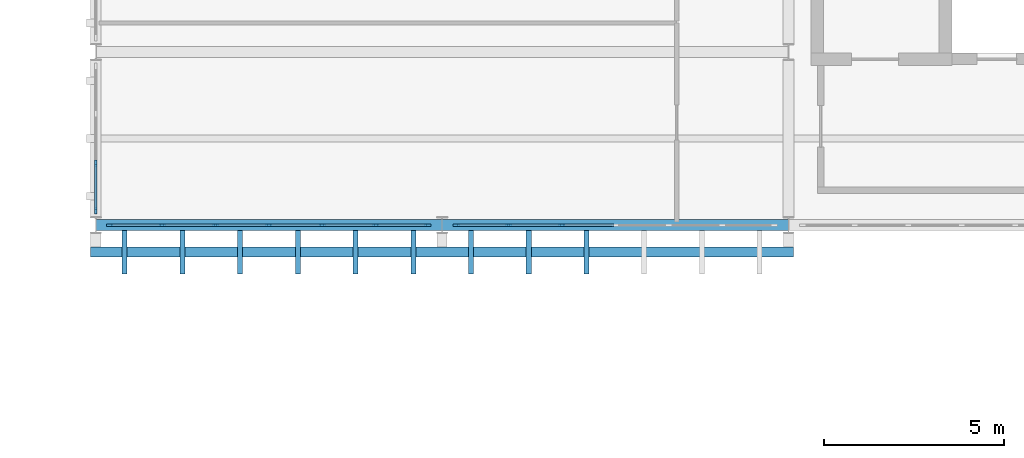
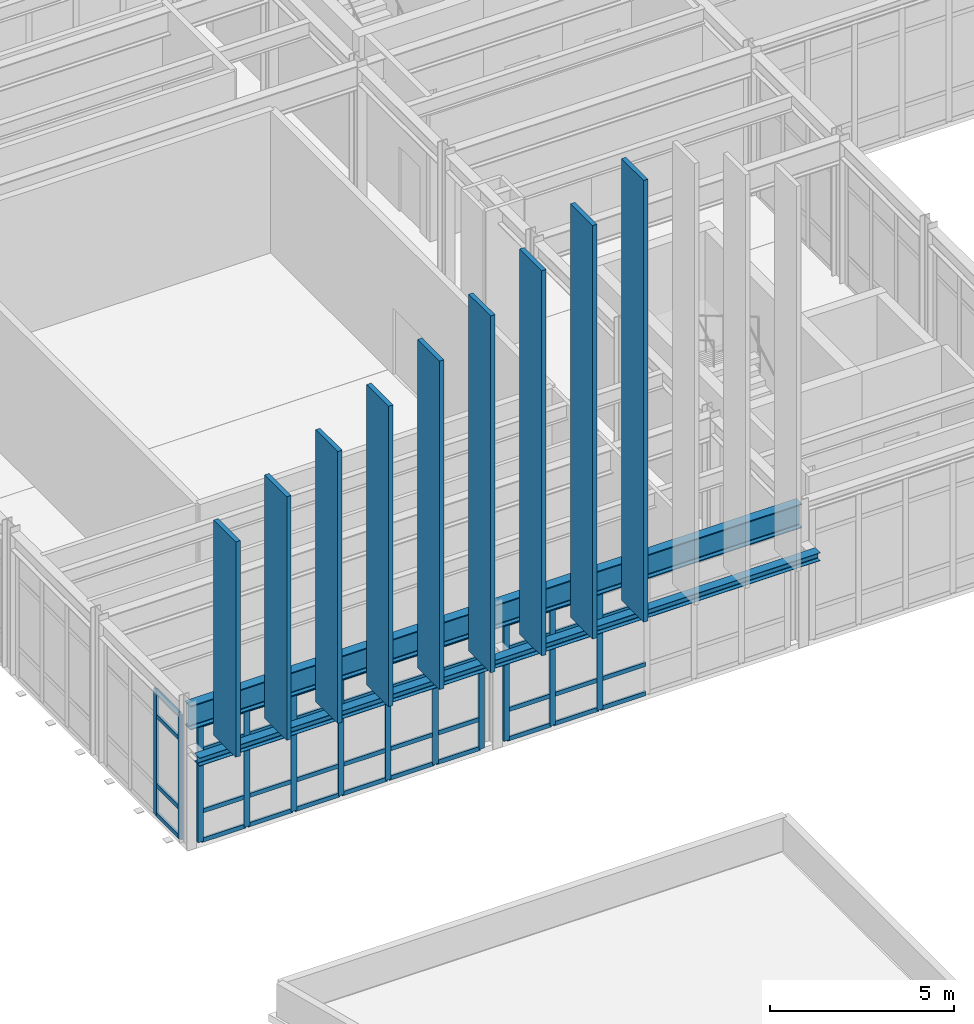
# One storey, part 3 of 28: 60 members, 2 beams, 3 elements without a shape of their own.
"""IFC4 building model written with IfcOpenShell, lengths in metres."""

from ifc_helpers import new_model, si_unit, direction, frame, origin, origin_2d, place, context, subcontext, project, spatial, rectangle, i_section, extrude, material, layer, layer_set, material_profile, profile_set, type_object, element, aggregate, save


model = new_model("IFC4")

# Units and contexts
model_context = context("Model", 3, precision=1e-05, world=origin(), true_north=direction((0.0, 1.0)))
body_context = subcontext(model_context, "Body", "Model", "MODEL_VIEW")
ifc_project = project(units=[si_unit("LENGTHUNIT", "METRE"), si_unit("AREAUNIT", "SQUARE_METRE"), si_unit("VOLUMEUNIT", "CUBIC_METRE"), si_unit("PLANEANGLEUNIT", "RADIAN"), si_unit("MASSUNIT", "GRAM", prefix="KILO")], contexts=[model_context])

# Site, building, storey
site_placement = place(None, origin())
site = spatial("IfcSite", under=ifc_project, at=site_placement, CompositionType="ELEMENT")
building_placement = place(site_placement, origin())
building = spatial("IfcBuilding", under=site, at=building_placement, Name="Nordkorset Police Headquarters", CompositionType="ELEMENT")
storey_placement = place(building_placement, frame((0.0, 0.0, 26.25)))
storey = spatial("IfcBuildingStorey", under=building, at=storey_placement, Name="L06", CompositionType="ELEMENT", Elevation=26.25)

# Curtain wall, members
ifc_material_1 = material(Name="Aluminium alloy AW-6060", Category="aluminium")
ifc_layer_1 = layer(ifc_material_1, 0.179931640625, Name="Aluminium alloy AW-6060")
ifc_layer_set_1 = layer_set([ifc_layer_1], Name="Aluminium alloy AW-6060")
curtain_wall_type_1 = type_object("IfcCurtainWallType", Name="CW_Unit_408x415", PredefinedType="USERDEFINED", material=ifc_layer_set_1)
curtain_wall_1_placement = place(storey_placement, origin())
curtain_wall_1 = element("IfcCurtainWall", 1, at=curtain_wall_1_placement, inside=storey, type_object=curtain_wall_type_1, Name="Unitised Curtain Wall L06 V1W-0", ObjectType="UNITISED CURTAIN WALL", PredefinedType="USERDEFINED")
ifc_material_2 = material(Name="Aluminium alloy AW-6060", Category="aluminium")
ifc_material_profile_1 = material_profile(ifc_material_2, rectangle(XDim=0.06494140625, YDim=0.179931640625, at=origin_2d()), Name="ALU MULL 65x180")
ifc_profile_set_1 = profile_set([ifc_material_profile_1], Name="Aluminium alloy AW-6060")
member_type_1 = type_object("IfcMemberType", Name="CW_Mullion_65x180", PredefinedType="MULLION", material=ifc_profile_set_1)
member_1_placement = place(storey_placement, frame((0.0, 83.592529296875, 0.0), z_axis=(0.0, 0.0, 1.0), x_axis=(-1.0, 0.0, 0.0)))
member_1 = element("IfcMember", 2, at=member_1_placement, type_object=member_type_1, Name="CW-101 mullion 1", PredefinedType="MULLION", context=body_context, shape_type="SweptSolid", body=[
    extrude(rectangle(XDim=0.06494140625, YDim=0.179931640625, at=origin_2d()), origin(), (0.0, 0.0, 1.0), 4.14990234375),
])
member_2_placement = place(storey_placement, frame((0.0, 84.919921875, 0.0), z_axis=(0.0, 0.0, 1.0), x_axis=(-1.0, 0.0, 0.0)))
member_2 = element("IfcMember", 3, at=member_2_placement, type_object=member_type_1, Name="CW-101 mullion 2", PredefinedType="MULLION", context=body_context, shape_type="SweptSolid", body=[
    extrude(rectangle(XDim=0.06494140625, YDim=0.179931640625, at=origin_2d()), origin(), (0.0, 0.0, 1.0), 4.14990234375),
])

ifc_material_3 = material(Name="Aluminium alloy AW-6060", Category="aluminium")
ifc_layer_2 = layer(ifc_material_3, 0.179931640625, Name="Aluminium alloy AW-6060")
ifc_layer_set_2 = layer_set([ifc_layer_2], Name="Aluminium alloy AW-6060")
curtain_wall_type_2 = type_object("IfcCurtainWallType", Name="CW_Unit_888x389", PredefinedType="USERDEFINED", material=ifc_layer_set_2)
curtain_wall_2_placement = place(storey_placement, origin())
curtain_wall_2 = element("IfcCurtainWall", 4, at=curtain_wall_2_placement, inside=storey, type_object=curtain_wall_type_2, Name="Unitised Curtain Wall L06 V1S-0", ObjectType="UNITISED CURTAIN WALL", PredefinedType="USERDEFINED")
member_3_placement = place(storey_placement, frame((0.392578125, 83.199951171875, 0.0), z_axis=(0.0, 0.0, 1.0), x_axis=(0.0, 1.0, 0.0)))
member_3 = element("IfcMember", 5, at=member_3_placement, type_object=member_type_1, Name="CW-76 mullion 1", PredefinedType="MULLION", context=body_context, shape_type="SweptSolid", body=[
    extrude(rectangle(XDim=0.06494140625, YDim=0.179931640625, at=origin_2d()), origin(), (0.0, 0.0, 1.0), 3.889892578125),
])
member_4_placement = place(storey_placement, frame((1.840087890625, 83.199951171875, 0.0), z_axis=(0.0, 0.0, 1.0), x_axis=(0.0, 1.0, 0.0)))
member_4 = element("IfcMember", 6, at=member_4_placement, type_object=member_type_1, Name="CW-76 mullion 2", PredefinedType="MULLION", context=body_context, shape_type="SweptSolid", body=[
    extrude(rectangle(XDim=0.06494140625, YDim=0.179931640625, at=origin_2d()), origin(), (0.0, 0.0, 1.0), 3.889892578125),
])
member_5_placement = place(storey_placement, frame((3.320068359375, 83.199951171875, 0.0), z_axis=(0.0, 0.0, 1.0), x_axis=(0.0, 1.0, 0.0)))
member_5 = element("IfcMember", 7, at=member_5_placement, type_object=member_type_1, Name="CW-76 mullion 3", PredefinedType="MULLION", context=body_context, shape_type="SweptSolid", body=[
    extrude(rectangle(XDim=0.06494140625, YDim=0.179931640625, at=origin_2d()), origin(), (0.0, 0.0, 1.0), 3.889892578125),
])
member_6_placement = place(storey_placement, frame((4.800048828125, 83.199951171875, 0.0), z_axis=(0.0, 0.0, 1.0), x_axis=(0.0, 1.0, 0.0)))
member_6 = element("IfcMember", 8, at=member_6_placement, type_object=member_type_1, Name="CW-76 mullion 4", PredefinedType="MULLION", context=body_context, shape_type="SweptSolid", body=[
    extrude(rectangle(XDim=0.06494140625, YDim=0.179931640625, at=origin_2d()), origin(), (0.0, 0.0, 1.0), 3.889892578125),
])
member_7_placement = place(storey_placement, frame((6.280029296875, 83.199951171875, 0.0), z_axis=(0.0, 0.0, 1.0), x_axis=(0.0, 1.0, 0.0)))
member_7 = element("IfcMember", 9, at=member_7_placement, type_object=member_type_1, Name="CW-76 mullion 5", PredefinedType="MULLION", context=body_context, shape_type="SweptSolid", body=[
    extrude(rectangle(XDim=0.06494140625, YDim=0.179931640625, at=origin_2d()), origin(), (0.0, 0.0, 1.0), 3.889892578125),
])
member_8_placement = place(storey_placement, frame((7.760009765625, 83.199951171875, 0.0), z_axis=(0.0, 0.0, 1.0), x_axis=(0.0, 1.0, 0.0)))
member_8 = element("IfcMember", 10, at=member_8_placement, type_object=member_type_1, Name="CW-76 mullion 6", PredefinedType="MULLION", context=body_context, shape_type="SweptSolid", body=[
    extrude(rectangle(XDim=0.06494140625, YDim=0.179931640625, at=origin_2d()), origin(), (0.0, 0.0, 1.0), 3.889892578125),
])
member_9_placement = place(storey_placement, frame((9.20751953125, 83.199951171875, 0.0), z_axis=(0.0, 0.0, 1.0), x_axis=(0.0, 1.0, 0.0)))
member_9 = element("IfcMember", 11, at=member_9_placement, type_object=member_type_1, Name="CW-76 mullion 7", PredefinedType="MULLION", context=body_context, shape_type="SweptSolid", body=[
    extrude(rectangle(XDim=0.06494140625, YDim=0.179931640625, at=origin_2d()), origin(), (0.0, 0.0, 1.0), 3.889892578125),
])

curtain_wall_3_placement = place(storey_placement, origin())
curtain_wall_3 = element("IfcCurtainWall", 12, at=curtain_wall_3_placement, inside=storey, type_object=curtain_wall_type_2, Name="Unitised Curtain Wall L06 V1S-1", ObjectType="UNITISED CURTAIN WALL", PredefinedType="USERDEFINED")
member_10_placement = place(storey_placement, frame((9.992431640625, 83.199951171875, 0.0), z_axis=(0.0, 0.0, 1.0), x_axis=(0.0, 1.0, 0.0)))
member_10 = element("IfcMember", 13, at=member_10_placement, type_object=member_type_1, Name="CW-76 mullion 1", PredefinedType="MULLION", context=body_context, shape_type="SweptSolid", body=[
    extrude(rectangle(XDim=0.06494140625, YDim=0.179931640625, at=origin_2d()), origin(), (0.0, 0.0, 1.0), 3.889892578125),
])
member_11_placement = place(storey_placement, frame((11.43994140625, 83.199951171875, 0.0), z_axis=(0.0, 0.0, 1.0), x_axis=(0.0, 1.0, 0.0)))
member_11 = element("IfcMember", 14, at=member_11_placement, type_object=member_type_1, Name="CW-76 mullion 2", PredefinedType="MULLION", context=body_context, shape_type="SweptSolid", body=[
    extrude(rectangle(XDim=0.06494140625, YDim=0.179931640625, at=origin_2d()), origin(), (0.0, 0.0, 1.0), 3.889892578125),
])
member_12_placement = place(storey_placement, frame((12.919921875, 83.199951171875, 0.0), z_axis=(0.0, 0.0, 1.0), x_axis=(0.0, 1.0, 0.0)))
member_12 = element("IfcMember", 15, at=member_12_placement, type_object=member_type_1, Name="CW-76 mullion 3", PredefinedType="MULLION", context=body_context, shape_type="SweptSolid", body=[
    extrude(rectangle(XDim=0.06494140625, YDim=0.179931640625, at=origin_2d()), origin(), (0.0, 0.0, 1.0), 3.889892578125),
])

# Member
ifc_material_4 = material(Name="Aluminium alloy AW-6060", Category="aluminium")
ifc_material_profile_2 = material_profile(ifc_material_4, rectangle(XDim=0.06494140625, YDim=0.139892578125, at=origin_2d()), Name="ALU TRAN 65x140")
ifc_profile_set_2 = profile_set([ifc_material_profile_2], Name="Aluminium alloy AW-6060")
member_type_2 = type_object("IfcMemberType", Name="CW_Transom_65x140", PredefinedType="USERDEFINED", material=ifc_profile_set_2)
member_13_placement = place(storey_placement, frame((0.0, 83.625, 0.032470703125), z_axis=(0.0, 1.0, 0.0), x_axis=(-1.0, 0.0, 0.0)))
member_13 = element("IfcMember", 16, at=member_13_placement, type_object=member_type_2, Name="CW-101 transom 1.1", ObjectType="TRANSOM", PredefinedType="USERDEFINED", context=body_context, shape_type="SweptSolid", body=[
    extrude(rectangle(XDim=0.06494140625, YDim=0.139892578125, at=origin_2d()), origin(), (0.0, 0.0, 1.0), 1.262451171875),
])

member_14_placement = place(storey_placement, frame((0.0, 83.625, 1.0), z_axis=(0.0, 1.0, 0.0), x_axis=(-1.0, 0.0, 0.0)))
member_14 = element("IfcMember", 17, at=member_14_placement, type_object=member_type_2, Name="CW-101 transom 1.2", ObjectType="TRANSOM", PredefinedType="USERDEFINED", context=body_context, shape_type="SweptSolid", body=[
    extrude(rectangle(XDim=0.06494140625, YDim=0.139892578125, at=origin_2d()), origin(), (0.0, 0.0, 1.0), 1.262451171875),
])

member_15_placement = place(storey_placement, frame((0.0, 83.625, 3.300048828125), z_axis=(0.0, 1.0, 0.0), x_axis=(-1.0, 0.0, 0.0)))
member_15 = element("IfcMember", 18, at=member_15_placement, type_object=member_type_2, Name="CW-101 transom 1.3", ObjectType="TRANSOM", PredefinedType="USERDEFINED", context=body_context, shape_type="SweptSolid", body=[
    extrude(rectangle(XDim=0.06494140625, YDim=0.139892578125, at=origin_2d()), origin(), (0.0, 0.0, 1.0), 1.262451171875),
])

member_16_placement = place(storey_placement, frame((0.0, 83.625, 4.117431640625), z_axis=(0.0, 1.0, 0.0), x_axis=(-1.0, 0.0, 0.0)))
member_16 = element("IfcMember", 19, at=member_16_placement, type_object=member_type_2, Name="CW-101 transom 1.4", ObjectType="TRANSOM", PredefinedType="USERDEFINED", context=body_context, shape_type="SweptSolid", body=[
    extrude(rectangle(XDim=0.06494140625, YDim=0.139892578125, at=origin_2d()), origin(), (0.0, 0.0, 1.0), 1.262451171875),
])

aggregate(curtain_wall_1, [member_1, member_2, member_13, member_14, member_15, member_16])

member_17_placement = place(storey_placement, frame((0.425048828125, 83.199951171875, 0.032470703125), z_axis=(1.0, 0.0, 0.0), x_axis=(0.0, 1.0, 0.0)))
member_17 = element("IfcMember", 20, at=member_17_placement, type_object=member_type_2, Name="CW-76 transom 1.1", ObjectType="TRANSOM", PredefinedType="USERDEFINED", context=body_context, shape_type="SweptSolid", body=[
    extrude(rectangle(XDim=0.06494140625, YDim=0.139892578125, at=origin_2d()), origin(), (0.0, 0.0, 1.0), 1.382568359375),
])

member_18_placement = place(storey_placement, frame((0.425048828125, 83.199951171875, 1.0), z_axis=(1.0, 0.0, 0.0), x_axis=(0.0, 1.0, 0.0)))
member_18 = element("IfcMember", 21, at=member_18_placement, type_object=member_type_2, Name="CW-76 transom 1.2", ObjectType="TRANSOM", PredefinedType="USERDEFINED", context=body_context, shape_type="SweptSolid", body=[
    extrude(rectangle(XDim=0.06494140625, YDim=0.139892578125, at=origin_2d()), origin(), (0.0, 0.0, 1.0), 1.382568359375),
])

member_19_placement = place(storey_placement, frame((0.425048828125, 83.199951171875, 3.0400390625), z_axis=(1.0, 0.0, 0.0), x_axis=(0.0, 1.0, 0.0)))
member_19 = element("IfcMember", 22, at=member_19_placement, type_object=member_type_2, Name="CW-76 transom 1.3", ObjectType="TRANSOM", PredefinedType="USERDEFINED", context=body_context, shape_type="SweptSolid", body=[
    extrude(rectangle(XDim=0.06494140625, YDim=0.139892578125, at=origin_2d()), origin(), (0.0, 0.0, 1.0), 1.382568359375),
])

member_20_placement = place(storey_placement, frame((0.425048828125, 83.199951171875, 3.857421875), z_axis=(1.0, 0.0, 0.0), x_axis=(0.0, 1.0, 0.0)))
member_20 = element("IfcMember", 23, at=member_20_placement, type_object=member_type_2, Name="CW-76 transom 1.4", ObjectType="TRANSOM", PredefinedType="USERDEFINED", context=body_context, shape_type="SweptSolid", body=[
    extrude(rectangle(XDim=0.06494140625, YDim=0.139892578125, at=origin_2d()), origin(), (0.0, 0.0, 1.0), 1.382568359375),
])

member_21_placement = place(storey_placement, frame((1.87255859375, 83.199951171875, 0.032470703125), z_axis=(1.0, 0.0, 0.0), x_axis=(0.0, 1.0, 0.0)))
member_21 = element("IfcMember", 24, at=member_21_placement, type_object=member_type_2, Name="CW-76 transom 2.1", ObjectType="TRANSOM", PredefinedType="USERDEFINED", context=body_context, shape_type="SweptSolid", body=[
    extrude(rectangle(XDim=0.06494140625, YDim=0.139892578125, at=origin_2d()), origin(), (0.0, 0.0, 1.0), 1.4150390625),
])

member_22_placement = place(storey_placement, frame((1.87255859375, 83.199951171875, 1.0), z_axis=(1.0, 0.0, 0.0), x_axis=(0.0, 1.0, 0.0)))
member_22 = element("IfcMember", 25, at=member_22_placement, type_object=member_type_2, Name="CW-76 transom 2.2", ObjectType="TRANSOM", PredefinedType="USERDEFINED", context=body_context, shape_type="SweptSolid", body=[
    extrude(rectangle(XDim=0.06494140625, YDim=0.139892578125, at=origin_2d()), origin(), (0.0, 0.0, 1.0), 1.4150390625),
])

member_23_placement = place(storey_placement, frame((1.87255859375, 83.199951171875, 3.0400390625), z_axis=(1.0, 0.0, 0.0), x_axis=(0.0, 1.0, 0.0)))
member_23 = element("IfcMember", 26, at=member_23_placement, type_object=member_type_2, Name="CW-76 transom 2.3", ObjectType="TRANSOM", PredefinedType="USERDEFINED", context=body_context, shape_type="SweptSolid", body=[
    extrude(rectangle(XDim=0.06494140625, YDim=0.139892578125, at=origin_2d()), origin(), (0.0, 0.0, 1.0), 1.4150390625),
])

member_24_placement = place(storey_placement, frame((1.87255859375, 83.199951171875, 3.857421875), z_axis=(1.0, 0.0, 0.0), x_axis=(0.0, 1.0, 0.0)))
member_24 = element("IfcMember", 27, at=member_24_placement, type_object=member_type_2, Name="CW-76 transom 2.4", ObjectType="TRANSOM", PredefinedType="USERDEFINED", context=body_context, shape_type="SweptSolid", body=[
    extrude(rectangle(XDim=0.06494140625, YDim=0.139892578125, at=origin_2d()), origin(), (0.0, 0.0, 1.0), 1.4150390625),
])

member_25_placement = place(storey_placement, frame((3.3525390625, 83.199951171875, 0.032470703125), z_axis=(1.0, 0.0, 0.0), x_axis=(0.0, 1.0, 0.0)))
member_25 = element("IfcMember", 28, at=member_25_placement, type_object=member_type_2, Name="CW-76 transom 3.1", ObjectType="TRANSOM", PredefinedType="USERDEFINED", context=body_context, shape_type="SweptSolid", body=[
    extrude(rectangle(XDim=0.06494140625, YDim=0.139892578125, at=origin_2d()), origin(), (0.0, 0.0, 1.0), 1.4150390625),
])

member_26_placement = place(storey_placement, frame((3.3525390625, 83.199951171875, 1.0), z_axis=(1.0, 0.0, 0.0), x_axis=(0.0, 1.0, 0.0)))
member_26 = element("IfcMember", 29, at=member_26_placement, type_object=member_type_2, Name="CW-76 transom 3.2", ObjectType="TRANSOM", PredefinedType="USERDEFINED", context=body_context, shape_type="SweptSolid", body=[
    extrude(rectangle(XDim=0.06494140625, YDim=0.139892578125, at=origin_2d()), origin(), (0.0, 0.0, 1.0), 1.4150390625),
])

member_27_placement = place(storey_placement, frame((3.3525390625, 83.199951171875, 3.0400390625), z_axis=(1.0, 0.0, 0.0), x_axis=(0.0, 1.0, 0.0)))
member_27 = element("IfcMember", 30, at=member_27_placement, type_object=member_type_2, Name="CW-76 transom 3.3", ObjectType="TRANSOM", PredefinedType="USERDEFINED", context=body_context, shape_type="SweptSolid", body=[
    extrude(rectangle(XDim=0.06494140625, YDim=0.139892578125, at=origin_2d()), origin(), (0.0, 0.0, 1.0), 1.4150390625),
])

member_28_placement = place(storey_placement, frame((3.3525390625, 83.199951171875, 3.857421875), z_axis=(1.0, 0.0, 0.0), x_axis=(0.0, 1.0, 0.0)))
member_28 = element("IfcMember", 31, at=member_28_placement, type_object=member_type_2, Name="CW-76 transom 3.4", ObjectType="TRANSOM", PredefinedType="USERDEFINED", context=body_context, shape_type="SweptSolid", body=[
    extrude(rectangle(XDim=0.06494140625, YDim=0.139892578125, at=origin_2d()), origin(), (0.0, 0.0, 1.0), 1.4150390625),
])

member_29_placement = place(storey_placement, frame((4.83251953125, 83.199951171875, 0.032470703125), z_axis=(1.0, 0.0, 0.0), x_axis=(0.0, 1.0, 0.0)))
member_29 = element("IfcMember", 32, at=member_29_placement, type_object=member_type_2, Name="CW-76 transom 4.1", ObjectType="TRANSOM", PredefinedType="USERDEFINED", context=body_context, shape_type="SweptSolid", body=[
    extrude(rectangle(XDim=0.06494140625, YDim=0.139892578125, at=origin_2d()), origin(), (0.0, 0.0, 1.0), 1.4150390625),
])

member_30_placement = place(storey_placement, frame((4.83251953125, 83.199951171875, 1.0), z_axis=(1.0, 0.0, 0.0), x_axis=(0.0, 1.0, 0.0)))
member_30 = element("IfcMember", 33, at=member_30_placement, type_object=member_type_2, Name="CW-76 transom 4.2", ObjectType="TRANSOM", PredefinedType="USERDEFINED", context=body_context, shape_type="SweptSolid", body=[
    extrude(rectangle(XDim=0.06494140625, YDim=0.139892578125, at=origin_2d()), origin(), (0.0, 0.0, 1.0), 1.4150390625),
])

member_31_placement = place(storey_placement, frame((4.83251953125, 83.199951171875, 3.0400390625), z_axis=(1.0, 0.0, 0.0), x_axis=(0.0, 1.0, 0.0)))
member_31 = element("IfcMember", 34, at=member_31_placement, type_object=member_type_2, Name="CW-76 transom 4.3", ObjectType="TRANSOM", PredefinedType="USERDEFINED", context=body_context, shape_type="SweptSolid", body=[
    extrude(rectangle(XDim=0.06494140625, YDim=0.139892578125, at=origin_2d()), origin(), (0.0, 0.0, 1.0), 1.4150390625),
])

member_32_placement = place(storey_placement, frame((4.83251953125, 83.199951171875, 3.857421875), z_axis=(1.0, 0.0, 0.0), x_axis=(0.0, 1.0, 0.0)))
member_32 = element("IfcMember", 35, at=member_32_placement, type_object=member_type_2, Name="CW-76 transom 4.4", ObjectType="TRANSOM", PredefinedType="USERDEFINED", context=body_context, shape_type="SweptSolid", body=[
    extrude(rectangle(XDim=0.06494140625, YDim=0.139892578125, at=origin_2d()), origin(), (0.0, 0.0, 1.0), 1.4150390625),
])

member_33_placement = place(storey_placement, frame((6.3125, 83.199951171875, 0.032470703125), z_axis=(1.0, 0.0, 0.0), x_axis=(0.0, 1.0, 0.0)))
member_33 = element("IfcMember", 36, at=member_33_placement, type_object=member_type_2, Name="CW-76 transom 5.1", ObjectType="TRANSOM", PredefinedType="USERDEFINED", context=body_context, shape_type="SweptSolid", body=[
    extrude(rectangle(XDim=0.06494140625, YDim=0.139892578125, at=origin_2d()), origin(), (0.0, 0.0, 1.0), 1.4150390625),
])

member_34_placement = place(storey_placement, frame((6.3125, 83.199951171875, 1.0), z_axis=(1.0, 0.0, 0.0), x_axis=(0.0, 1.0, 0.0)))
member_34 = element("IfcMember", 37, at=member_34_placement, type_object=member_type_2, Name="CW-76 transom 5.2", ObjectType="TRANSOM", PredefinedType="USERDEFINED", context=body_context, shape_type="SweptSolid", body=[
    extrude(rectangle(XDim=0.06494140625, YDim=0.139892578125, at=origin_2d()), origin(), (0.0, 0.0, 1.0), 1.4150390625),
])

member_35_placement = place(storey_placement, frame((6.3125, 83.199951171875, 3.0400390625), z_axis=(1.0, 0.0, 0.0), x_axis=(0.0, 1.0, 0.0)))
member_35 = element("IfcMember", 38, at=member_35_placement, type_object=member_type_2, Name="CW-76 transom 5.3", ObjectType="TRANSOM", PredefinedType="USERDEFINED", context=body_context, shape_type="SweptSolid", body=[
    extrude(rectangle(XDim=0.06494140625, YDim=0.139892578125, at=origin_2d()), origin(), (0.0, 0.0, 1.0), 1.4150390625),
])

member_36_placement = place(storey_placement, frame((6.3125, 83.199951171875, 3.857421875), z_axis=(1.0, 0.0, 0.0), x_axis=(0.0, 1.0, 0.0)))
member_36 = element("IfcMember", 39, at=member_36_placement, type_object=member_type_2, Name="CW-76 transom 5.4", ObjectType="TRANSOM", PredefinedType="USERDEFINED", context=body_context, shape_type="SweptSolid", body=[
    extrude(rectangle(XDim=0.06494140625, YDim=0.139892578125, at=origin_2d()), origin(), (0.0, 0.0, 1.0), 1.4150390625),
])

member_37_placement = place(storey_placement, frame((7.79248046875, 83.199951171875, 0.032470703125), z_axis=(1.0, 0.0, 0.0), x_axis=(0.0, 1.0, 0.0)))
member_37 = element("IfcMember", 40, at=member_37_placement, type_object=member_type_2, Name="CW-76 transom 6.1", ObjectType="TRANSOM", PredefinedType="USERDEFINED", context=body_context, shape_type="SweptSolid", body=[
    extrude(rectangle(XDim=0.06494140625, YDim=0.139892578125, at=origin_2d()), origin(), (0.0, 0.0, 1.0), 1.382568359375),
])

member_38_placement = place(storey_placement, frame((7.79248046875, 83.199951171875, 1.0), z_axis=(1.0, 0.0, 0.0), x_axis=(0.0, 1.0, 0.0)))
member_38 = element("IfcMember", 41, at=member_38_placement, type_object=member_type_2, Name="CW-76 transom 6.2", ObjectType="TRANSOM", PredefinedType="USERDEFINED", context=body_context, shape_type="SweptSolid", body=[
    extrude(rectangle(XDim=0.06494140625, YDim=0.139892578125, at=origin_2d()), origin(), (0.0, 0.0, 1.0), 1.382568359375),
])

member_39_placement = place(storey_placement, frame((7.79248046875, 83.199951171875, 3.0400390625), z_axis=(1.0, 0.0, 0.0), x_axis=(0.0, 1.0, 0.0)))
member_39 = element("IfcMember", 42, at=member_39_placement, type_object=member_type_2, Name="CW-76 transom 6.3", ObjectType="TRANSOM", PredefinedType="USERDEFINED", context=body_context, shape_type="SweptSolid", body=[
    extrude(rectangle(XDim=0.06494140625, YDim=0.139892578125, at=origin_2d()), origin(), (0.0, 0.0, 1.0), 1.382568359375),
])

member_40_placement = place(storey_placement, frame((7.79248046875, 83.199951171875, 3.857421875), z_axis=(1.0, 0.0, 0.0), x_axis=(0.0, 1.0, 0.0)))
member_40 = element("IfcMember", 43, at=member_40_placement, type_object=member_type_2, Name="CW-76 transom 6.4", ObjectType="TRANSOM", PredefinedType="USERDEFINED", context=body_context, shape_type="SweptSolid", body=[
    extrude(rectangle(XDim=0.06494140625, YDim=0.139892578125, at=origin_2d()), origin(), (0.0, 0.0, 1.0), 1.382568359375),
])

aggregate(curtain_wall_2, [member_3, member_4, member_5, member_6, member_7, member_8, member_9, member_17, member_18, member_19, member_20, member_21, member_22, member_23, member_24, member_25, member_26, member_27, member_28, member_29, member_30, member_31, member_32, member_33, member_34, member_35, member_36, member_37, member_38, member_39, member_40])

member_41_placement = place(storey_placement, frame((10.02490234375, 83.199951171875, 0.032470703125), z_axis=(1.0, 0.0, 0.0), x_axis=(0.0, 1.0, 0.0)))
member_41 = element("IfcMember", 44, at=member_41_placement, type_object=member_type_2, Name="CW-76 transom 1.1", ObjectType="TRANSOM", PredefinedType="USERDEFINED", context=body_context, shape_type="SweptSolid", body=[
    extrude(rectangle(XDim=0.06494140625, YDim=0.139892578125, at=origin_2d()), origin(), (0.0, 0.0, 1.0), 1.382568359375),
])

member_42_placement = place(storey_placement, frame((10.02490234375, 83.199951171875, 1.0), z_axis=(1.0, 0.0, 0.0), x_axis=(0.0, 1.0, 0.0)))
member_42 = element("IfcMember", 45, at=member_42_placement, type_object=member_type_2, Name="CW-76 transom 1.2", ObjectType="TRANSOM", PredefinedType="USERDEFINED", context=body_context, shape_type="SweptSolid", body=[
    extrude(rectangle(XDim=0.06494140625, YDim=0.139892578125, at=origin_2d()), origin(), (0.0, 0.0, 1.0), 1.382568359375),
])

member_43_placement = place(storey_placement, frame((10.02490234375, 83.199951171875, 3.0400390625), z_axis=(1.0, 0.0, 0.0), x_axis=(0.0, 1.0, 0.0)))
member_43 = element("IfcMember", 46, at=member_43_placement, type_object=member_type_2, Name="CW-76 transom 1.3", ObjectType="TRANSOM", PredefinedType="USERDEFINED", context=body_context, shape_type="SweptSolid", body=[
    extrude(rectangle(XDim=0.06494140625, YDim=0.139892578125, at=origin_2d()), origin(), (0.0, 0.0, 1.0), 1.382568359375),
])

member_44_placement = place(storey_placement, frame((10.02490234375, 83.199951171875, 3.857421875), z_axis=(1.0, 0.0, 0.0), x_axis=(0.0, 1.0, 0.0)))
member_44 = element("IfcMember", 47, at=member_44_placement, type_object=member_type_2, Name="CW-76 transom 1.4", ObjectType="TRANSOM", PredefinedType="USERDEFINED", context=body_context, shape_type="SweptSolid", body=[
    extrude(rectangle(XDim=0.06494140625, YDim=0.139892578125, at=origin_2d()), origin(), (0.0, 0.0, 1.0), 1.382568359375),
])

member_45_placement = place(storey_placement, frame((11.472412109375, 83.199951171875, 0.032470703125), z_axis=(1.0, 0.0, 0.0), x_axis=(0.0, 1.0, 0.0)))
member_45 = element("IfcMember", 48, at=member_45_placement, type_object=member_type_2, Name="CW-76 transom 2.1", ObjectType="TRANSOM", PredefinedType="USERDEFINED", context=body_context, shape_type="SweptSolid", body=[
    extrude(rectangle(XDim=0.06494140625, YDim=0.139892578125, at=origin_2d()), origin(), (0.0, 0.0, 1.0), 1.4150390625),
])

member_46_placement = place(storey_placement, frame((11.472412109375, 83.199951171875, 1.0), z_axis=(1.0, 0.0, 0.0), x_axis=(0.0, 1.0, 0.0)))
member_46 = element("IfcMember", 49, at=member_46_placement, type_object=member_type_2, Name="CW-76 transom 2.2", ObjectType="TRANSOM", PredefinedType="USERDEFINED", context=body_context, shape_type="SweptSolid", body=[
    extrude(rectangle(XDim=0.06494140625, YDim=0.139892578125, at=origin_2d()), origin(), (0.0, 0.0, 1.0), 1.4150390625),
])

member_47_placement = place(storey_placement, frame((11.472412109375, 83.199951171875, 3.0400390625), z_axis=(1.0, 0.0, 0.0), x_axis=(0.0, 1.0, 0.0)))
member_47 = element("IfcMember", 50, at=member_47_placement, type_object=member_type_2, Name="CW-76 transom 2.3", ObjectType="TRANSOM", PredefinedType="USERDEFINED", context=body_context, shape_type="SweptSolid", body=[
    extrude(rectangle(XDim=0.06494140625, YDim=0.139892578125, at=origin_2d()), origin(), (0.0, 0.0, 1.0), 1.4150390625),
])

member_48_placement = place(storey_placement, frame((11.472412109375, 83.199951171875, 3.857421875), z_axis=(1.0, 0.0, 0.0), x_axis=(0.0, 1.0, 0.0)))
member_48 = element("IfcMember", 51, at=member_48_placement, type_object=member_type_2, Name="CW-76 transom 2.4", ObjectType="TRANSOM", PredefinedType="USERDEFINED", context=body_context, shape_type="SweptSolid", body=[
    extrude(rectangle(XDim=0.06494140625, YDim=0.139892578125, at=origin_2d()), origin(), (0.0, 0.0, 1.0), 1.4150390625),
])

member_49_placement = place(storey_placement, frame((12.952392578125, 83.199951171875, 0.032470703125), z_axis=(1.0, 0.0, 0.0), x_axis=(0.0, 1.0, 0.0)))
member_49 = element("IfcMember", 52, at=member_49_placement, type_object=member_type_2, Name="CW-76 transom 3.1", ObjectType="TRANSOM", PredefinedType="USERDEFINED", context=body_context, shape_type="SweptSolid", body=[
    extrude(rectangle(XDim=0.06494140625, YDim=0.139892578125, at=origin_2d()), origin(), (0.0, 0.0, 1.0), 1.4150390625),
])

member_50_placement = place(storey_placement, frame((12.952392578125, 83.199951171875, 1.0), z_axis=(1.0, 0.0, 0.0), x_axis=(0.0, 1.0, 0.0)))
member_50 = element("IfcMember", 53, at=member_50_placement, type_object=member_type_2, Name="CW-76 transom 3.2", ObjectType="TRANSOM", PredefinedType="USERDEFINED", context=body_context, shape_type="SweptSolid", body=[
    extrude(rectangle(XDim=0.06494140625, YDim=0.139892578125, at=origin_2d()), origin(), (0.0, 0.0, 1.0), 1.4150390625),
])

member_51_placement = place(storey_placement, frame((12.952392578125, 83.199951171875, 3.0400390625), z_axis=(1.0, 0.0, 0.0), x_axis=(0.0, 1.0, 0.0)))
member_51 = element("IfcMember", 54, at=member_51_placement, type_object=member_type_2, Name="CW-76 transom 3.3", ObjectType="TRANSOM", PredefinedType="USERDEFINED", context=body_context, shape_type="SweptSolid", body=[
    extrude(rectangle(XDim=0.06494140625, YDim=0.139892578125, at=origin_2d()), origin(), (0.0, 0.0, 1.0), 1.4150390625),
])

aggregate(curtain_wall_3, [member_10, member_11, member_12, member_41, member_42, member_43, member_44, member_45, member_46, member_47, member_48, member_49, member_50, member_51])

# Beam
ifc_material_5 = material(Name="Steel S355J2", Category="steel")
ifc_material_profile_3 = material_profile(ifc_material_5, i_section(OverallWidth=0.300048828125, OverallDepth=0.800048828125, WebThickness=0.017578125, FlangeThickness=0.032958984375, FilletRadius=0.030029296875, at=origin_2d()), Name="HEB 800")
ifc_profile_set_3 = profile_set([ifc_material_profile_3], Name="Steel S355J2")
beam_type_1 = type_object("IfcBeamType", Name="Girder_HEB_800", PredefinedType="USERDEFINED", material=ifc_profile_set_3)
beam_1_placement = place(storey_placement, frame((0.007080078125, 83.199951171875, 4.31005859375), z_axis=(1.0, 0.0, 0.0), x_axis=(0.0, 1.0, 0.0)))
element("IfcBeam", 55, at=beam_1_placement, inside=storey, type_object=beam_type_1, Name="Girder V1 L06 GX-0-0", ObjectType="GIRDER", PredefinedType="USERDEFINED", context=body_context, shape_type="SweptSolid", body=[
    extrude(i_section(OverallWidth=0.300048828125, OverallDepth=0.800048828125, WebThickness=0.017578125, FlangeThickness=0.032958984375, FilletRadius=0.030029296875, at=origin_2d()), origin(), (0.0, 0.0, 1.0), 19.18603515625),
])

# Members
ifc_material_6 = material(Name="Glulam GL30c", Category="wood")
ifc_material_profile_4 = material_profile(ifc_material_6, rectangle(XDim=0.139892578125, YDim=1.199951171875, at=origin_2d()), Name="GL30C FIN 140x1200")
ifc_profile_set_4 = profile_set([ifc_material_profile_4], Name="Glulam GL30c")
member_type_3 = type_object("IfcMemberType", Name="Member_GlulamFin_140x1200", PredefinedType="USERDEFINED", material=ifc_profile_set_4)
member_52_placement = place(storey_placement, frame((0.800048828125, 82.449951171875, 3.485107421875), z_axis=(0.0, 0.0, 1.0), x_axis=(1.0, 0.0, 0.0)))
element("IfcMember", 56, at=member_52_placement, inside=storey, type_object=member_type_3, Name="Vertical Glulam Gable Fin South 044", ObjectType="VERTICAL TIMBER FIN", PredefinedType="USERDEFINED", context=body_context, shape_type="SweptSolid", body=[
    extrude(rectangle(XDim=0.139892578125, YDim=1.199951171875, at=origin_2d()), origin(), (0.0, 0.0, 1.0), 7.1494140625),
])
member_53_placement = place(storey_placement, frame((2.39990234375, 82.449951171875, 3.485107421875), z_axis=(0.0, 0.0, 1.0), x_axis=(1.0, 0.0, 0.0)))
element("IfcMember", 57, at=member_53_placement, inside=storey, type_object=member_type_3, Name="Vertical Glulam Gable Fin South 046", ObjectType="VERTICAL TIMBER FIN", PredefinedType="USERDEFINED", context=body_context, shape_type="SweptSolid", body=[
    extrude(rectangle(XDim=0.139892578125, YDim=1.199951171875, at=origin_2d()), origin(), (0.0, 0.0, 1.0), 8.088134765625),
])
member_54_placement = place(storey_placement, frame((4.0, 82.449951171875, 3.485107421875), z_axis=(0.0, 0.0, 1.0), x_axis=(1.0, 0.0, 0.0)))
element("IfcMember", 58, at=member_54_placement, inside=storey, type_object=member_type_3, Name="Vertical Glulam Gable Fin South 048", ObjectType="VERTICAL TIMBER FIN", PredefinedType="USERDEFINED", context=body_context, shape_type="SweptSolid", body=[
    extrude(rectangle(XDim=0.139892578125, YDim=1.199951171875, at=origin_2d()), origin(), (0.0, 0.0, 1.0), 9.027099609375),
])
member_55_placement = place(storey_placement, frame((5.60009765625, 82.449951171875, 3.485107421875), z_axis=(0.0, 0.0, 1.0), x_axis=(1.0, 0.0, 0.0)))
element("IfcMember", 59, at=member_55_placement, inside=storey, type_object=member_type_3, Name="Vertical Glulam Gable Fin South 050", ObjectType="VERTICAL TIMBER FIN", PredefinedType="USERDEFINED", context=body_context, shape_type="SweptSolid", body=[
    extrude(rectangle(XDim=0.139892578125, YDim=1.199951171875, at=origin_2d()), origin(), (0.0, 0.0, 1.0), 9.966064453125),
])
member_56_placement = place(storey_placement, frame((7.199951171875, 82.449951171875, 3.485107421875), z_axis=(0.0, 0.0, 1.0), x_axis=(1.0, 0.0, 0.0)))
element("IfcMember", 60, at=member_56_placement, inside=storey, type_object=member_type_3, Name="Vertical Glulam Gable Fin South 052", ObjectType="VERTICAL TIMBER FIN", PredefinedType="USERDEFINED", context=body_context, shape_type="SweptSolid", body=[
    extrude(rectangle(XDim=0.139892578125, YDim=1.199951171875, at=origin_2d()), origin(), (0.0, 0.0, 1.0), 10.90478515625),
])
member_57_placement = place(storey_placement, frame((8.800048828125, 82.449951171875, 3.485107421875), z_axis=(0.0, 0.0, 1.0), x_axis=(1.0, 0.0, 0.0)))
element("IfcMember", 61, at=member_57_placement, inside=storey, type_object=member_type_3, Name="Vertical Glulam Gable Fin South 054", ObjectType="VERTICAL TIMBER FIN", PredefinedType="USERDEFINED", context=body_context, shape_type="SweptSolid", body=[
    extrude(rectangle(XDim=0.139892578125, YDim=1.199951171875, at=origin_2d()), origin(), (0.0, 0.0, 1.0), 11.84375),
])
member_58_placement = place(storey_placement, frame((10.39990234375, 82.449951171875, 3.485107421875), z_axis=(0.0, 0.0, 1.0), x_axis=(1.0, 0.0, 0.0)))
element("IfcMember", 62, at=member_58_placement, inside=storey, type_object=member_type_3, Name="Vertical Glulam Gable Fin South 056", ObjectType="VERTICAL TIMBER FIN", PredefinedType="USERDEFINED", context=body_context, shape_type="SweptSolid", body=[
    extrude(rectangle(XDim=0.139892578125, YDim=1.199951171875, at=origin_2d()), origin(), (0.0, 0.0, 1.0), 12.78271484375),
])
member_59_placement = place(storey_placement, frame((12.0, 82.449951171875, 3.485107421875), z_axis=(0.0, 0.0, 1.0), x_axis=(1.0, 0.0, 0.0)))
element("IfcMember", 63, at=member_59_placement, inside=storey, type_object=member_type_3, Name="Vertical Glulam Gable Fin South 058", ObjectType="VERTICAL TIMBER FIN", PredefinedType="USERDEFINED", context=body_context, shape_type="SweptSolid", body=[
    extrude(rectangle(XDim=0.139892578125, YDim=1.199951171875, at=origin_2d()), origin(), (0.0, 0.0, 1.0), 13.7216796875),
])
member_60_placement = place(storey_placement, frame((13.60009765625, 82.449951171875, 3.485107421875), z_axis=(0.0, 0.0, 1.0), x_axis=(1.0, 0.0, 0.0)))
element("IfcMember", 64, at=member_60_placement, inside=storey, type_object=member_type_3, Name="Vertical Glulam Gable Fin South 060", ObjectType="VERTICAL TIMBER FIN", PredefinedType="USERDEFINED", context=body_context, shape_type="SweptSolid", body=[
    extrude(rectangle(XDim=0.139892578125, YDim=1.199951171875, at=origin_2d()), origin(), (0.0, 0.0, 1.0), 14.660400390625),
])

# Beam
ifc_material_7 = material(Name="Steel S355J2", Category="steel")
ifc_material_profile_5 = material_profile(ifc_material_7, i_section(OverallWidth=0.280029296875, OverallDepth=0.27001953125, WebThickness=0.008056640625, FlangeThickness=0.012939453125, FilletRadius=0.02392578125, at=origin_2d()), Name="HEA 280")
ifc_profile_set_5 = profile_set([ifc_material_profile_5], Name="Steel S355J2")
beam_type_2 = type_object("IfcBeamType", Name="Spandrel_HEA_280", PredefinedType="SPANDREL", material=ifc_profile_set_5)
beam_2_placement = place(storey_placement, frame((-0.139892578125, 82.449951171875, 3.35009765625), z_axis=(1.0, 0.0, 0.0), x_axis=(0.0, 1.0, 0.0)))
element("IfcBeam", 65, at=beam_2_placement, inside=storey, type_object=beam_type_2, Name="Facade Fin Support Ledger South 1", PredefinedType="SPANDREL", context=body_context, shape_type="SweptSolid", body=[
    extrude(i_section(OverallWidth=0.280029296875, OverallDepth=0.27001953125, WebThickness=0.008056640625, FlangeThickness=0.012939453125, FilletRadius=0.02392578125, at=origin_2d()), origin(), (0.0, 0.0, 1.0), 19.47998046875),
])

save(model, "model.ifc")
